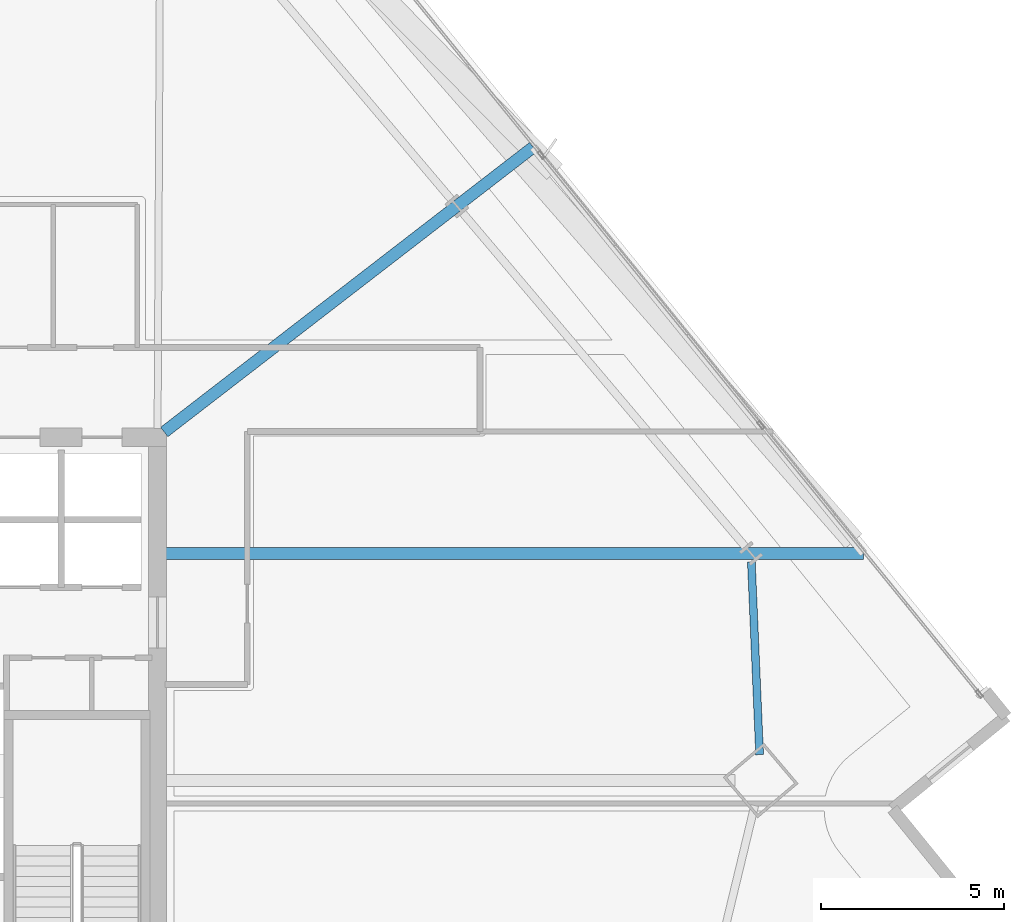
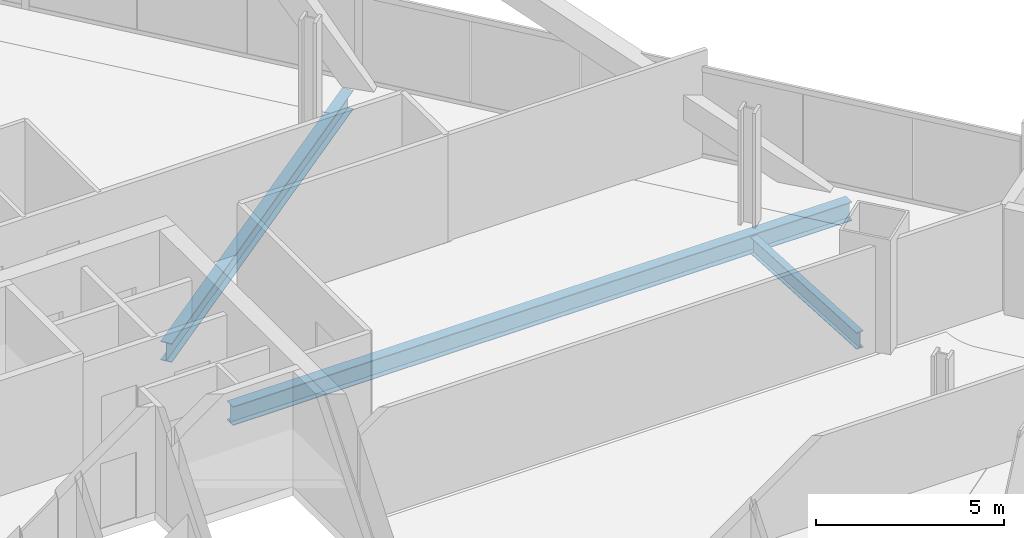
# One storey, part 19 of 36: 3 beams.
"""IFC4 building model written with IfcOpenShell, lengths in metres."""

import ifcopenshell
import ifcopenshell.guid

model = None  # the IFC model being written
_history = None  # IfcOwnerHistory: only IFC2X3 demands one
_inside = {}  # id of a spatial element -> (the spatial element, [elements in it])
_under = {}  # id of a project, library or spatial element -> (it, [spatial elements below it])
_declared = {}  # id of a project -> (the project, [libraries it declares])
_typed = {}  # id of a type object -> (the type object, [elements of that type])
_made_of = {}  # id of a material, layer set ... -> (it, [elements and type objects made of it])


def new_model(schema):
    """Start an empty IFC model of exactly this schema.

    Asked for "IFC4X3", IfcOpenShell would pick the latest addendum, in which some entities
    have other attributes; the version numbers below select the first issue.
    IFC2X3 requires an IfcOwnerHistory on every rooted entity: one is made here for all.
    """
    global model, _history
    if schema == "IFC4X3":
        model = ifcopenshell.file(schema_version=(4, 3, 0, 0))
    else:
        model = ifcopenshell.file(schema=schema)
    _inside.clear()
    _under.clear()
    _declared.clear()
    _typed.clear()
    _made_of.clear()
    _history = None
    if model.schema == "IFC2X3":
        org = make("IfcOrganization", Name="unknown")
        user = make(
            "IfcPersonAndOrganization",
            ThePerson=make("IfcPerson", FamilyName="unknown"),
            TheOrganization=org,
        )
        app = make(
            "IfcApplication",
            ApplicationDeveloper=org,
            Version="unknown",
            ApplicationFullName="unknown",
            ApplicationIdentifier="unknown",
        )
        _history = make(
            "IfcOwnerHistory",
            OwningUser=user,
            OwningApplication=app,
            ChangeAction="ADDED",
            CreationDate=0,
        )
    return model


def make(cls, **values):
    """One entity of the class cls with the attributes given. An attribute that is None is left unset."""
    return model.create_entity(
        cls, **{name: value for name, value in values.items() if value is not None}
    )


def rooted(cls, **values):
    """An entity with a GlobalId (a new one), such as an element, a storey or a relation."""
    return make(cls, GlobalId=ifcopenshell.guid.new(), OwnerHistory=_history, **values)


def si_unit(unit_type, name, prefix=None):
    """IfcSIUnit, for example si_unit("LENGTHUNIT", "METRE", prefix="MILLI")."""
    return make("IfcSIUnit", UnitType=unit_type, Prefix=prefix, Name=name)


def assignment(units):
    """IfcUnitAssignment: the units of a project."""
    return None if units is None else make("IfcUnitAssignment", Units=units)


def point(xyz):
    """IfcCartesianPoint."""
    return None if xyz is None else make("IfcCartesianPoint", Coordinates=xyz)


def direction(xyz):
    """IfcDirection."""
    return None if xyz is None else make("IfcDirection", DirectionRatios=xyz)


def frame(location, z_axis=None, x_axis=None):
    """IfcAxis2Placement3D, a coordinate frame: its origin and axes. An axis left out is left unset."""
    return make(
        "IfcAxis2Placement3D",
        Location=point(location),
        Axis=direction(z_axis),
        RefDirection=direction(x_axis),
    )


def frame_2d(location, x_axis=None):
    """IfcAxis2Placement2D, a coordinate frame in the plane: its origin and x axis."""
    return make(
        "IfcAxis2Placement2D", Location=point(location), RefDirection=direction(x_axis)
    )


def origin():
    """The frame at (0, 0, 0) with its axes left unset."""
    return frame((0.0, 0.0, 0.0))


def origin_2d():
    """The frame at (0, 0) in the plane with its x axis left unset."""
    return frame_2d((0.0, 0.0))


def place(relative_to, where):
    """IfcLocalPlacement: puts the frame where relative to a parent placement (None: the world)."""
    return make(
        "IfcLocalPlacement", PlacementRelTo=relative_to, RelativePlacement=where
    )


def context(
    kind, dimensions, precision=None, world=None, true_north=None, identifier=None
):
    """IfcGeometricRepresentationContext, for example the 3D "Model" context."""
    return make(
        "IfcGeometricRepresentationContext",
        ContextIdentifier=identifier,
        ContextType=kind,
        CoordinateSpaceDimension=dimensions,
        Precision=precision,
        WorldCoordinateSystem=world,
        TrueNorth=true_north,
    )


def subcontext(parent, identifier, kind, view, scale=None):
    """IfcGeometricRepresentationSubContext, for example "Body" below "Model"."""
    return make(
        "IfcGeometricRepresentationSubContext",
        ContextIdentifier=identifier,
        ContextType=kind,
        ParentContext=parent,
        TargetScale=scale,
        TargetView=view,
    )


def project(units=None, contexts=None):
    """IfcProject with its units and contexts."""
    return rooted(
        "IfcProject",
        Name="project",
        RepresentationContexts=contexts,
        UnitsInContext=assignment(units),
    )


def spatial(cls, under=None, at=None, **own):
    """A site, building, storey or space (cls), placed at a placement, below another one or the project."""
    s = rooted(cls, ObjectPlacement=at, **own)
    if under is not None:
        _under.setdefault(under.id(), (under, []))[1].append(s)
    return s


def profile(cls, at=None, kind="AREA", **sizes):
    """A parametric profile (cls). Its sizes go by their IFC names, for example OverallWidth=200.0."""
    return make(cls, ProfileType=kind, Position=at, **sizes)


def i_section(**sizes):
    """IfcIShapeProfileDef."""
    return profile("IfcIShapeProfileDef", **sizes)


def extrude(swept, where, along, depth):
    """IfcExtrudedAreaSolid: the profile swept, set in the frame where, extruded along a direction by depth."""
    return make(
        "IfcExtrudedAreaSolid",
        SweptArea=swept,
        Position=where,
        ExtrudedDirection=direction(along),
        Depth=depth,
    )


def shape(context_of_items, identifier, shape_type, items):
    """IfcShapeRepresentation: the items that make up one representation, for example the "Body"."""
    return make(
        "IfcShapeRepresentation",
        ContextOfItems=context_of_items,
        RepresentationIdentifier=identifier,
        RepresentationType=shape_type,
        Items=items,
    )


def material(Name=None, Category=None):
    """IfcMaterial."""
    return make("IfcMaterial", Name=Name, Category=Category)


def material_profile(
    of_material, cross_section, Name=None, Category=None, Priority=None
):
    """IfcMaterialProfile: a cross section and its material."""
    return make(
        "IfcMaterialProfile",
        Name=Name,
        Material=of_material,
        Profile=cross_section,
        Priority=Priority,
        Category=Category,
    )


def profile_set(profiles, Name=None, composite=None):
    """IfcMaterialProfileSet."""
    return make(
        "IfcMaterialProfileSet",
        Name=Name,
        MaterialProfiles=profiles,
        CompositeProfile=composite,
    )


def made_of(thing, what):
    """Note that an element or type object is made of a material, layer set ...; save() writes the relation."""
    if what is not None:
        _made_of.setdefault(what.id(), (what, []))[1].append(thing)
    return thing


def type_object(cls, material=None, **own):
    """A type object (cls), such as IfcWallType, which elements share."""
    return made_of(rooted(cls, **own), material)


def element(
    cls,
    number,
    at=None,
    inside=None,
    cuts=None,
    type_object=None,
    material=None,
    context=None,
    identifier="Body",
    shape_type=None,
    held_by="IfcProductDefinitionShape",
    body=None,
    shapes=None,
    **own,
):
    """One element of the class cls, such as IfcWall. Its Tag is "e" and its number.

    at: its placement. inside: the storey or other place that contains it. cuts: it is an
    opening in that element (IfcRelVoidsElement). A single representation is given by context,
    identifier, shape_type and body (its items); several are given by shapes. held_by: the class
    of the entity that holds the representations. save() writes the other relations.
    """
    e = rooted(cls, Tag="e%d" % number, ObjectPlacement=at, **own)
    if body is not None:
        shapes = [shape(context, identifier, shape_type, body)]
    if shapes is not None:
        e.Representation = make(held_by, Representations=shapes)
    if inside is not None:
        _inside.setdefault(inside.id(), (inside, []))[1].append(e)
    if cuts is not None:
        rooted(
            "IfcRelVoidsElement", RelatingBuildingElement=cuts, RelatedOpeningElement=e
        )
    if type_object is not None:
        _typed.setdefault(type_object.id(), (type_object, []))[1].append(e)
    return made_of(e, material)


def aggregate(whole, parts):
    """IfcRelAggregates: a whole, such as a stair, and the parts it consists of."""
    return rooted("IfcRelAggregates", RelatingObject=whole, RelatedObjects=parts)


def save(model, path):
    """Write the relations noted so far, then the file.

    IfcRelAggregates (storeys below a building ...), IfcRelContainedInSpatialStructure (elements
    in a storey), IfcRelDefinesByType, IfcRelAssociatesMaterial and IfcRelDeclares: one each for
    every whole, place, type object, material and project.
    """
    for whole, parts in _under.values():
        aggregate(whole, parts)
    for where, things in _inside.values():
        rooted(
            "IfcRelContainedInSpatialStructure",
            RelatedElements=things,
            RelatingStructure=where,
        )
    for kind, things in _typed.values():
        rooted("IfcRelDefinesByType", RelatedObjects=things, RelatingType=kind)
    for what, things in _made_of.values():
        rooted("IfcRelAssociatesMaterial", RelatedObjects=things, RelatingMaterial=what)
    for by, libraries in _declared.values():
        rooted("IfcRelDeclares", RelatingContext=by, RelatedDefinitions=libraries)
    model.write(path)


model = new_model("IFC4")

# Units and contexts
model_context = context("Model", 3, precision=1e-05, world=origin(), true_north=direction((0.0, 1.0)))
body_context = subcontext(model_context, "Body", "Model", "MODEL_VIEW")
ifc_project = project(units=[si_unit("LENGTHUNIT", "METRE"), si_unit("AREAUNIT", "SQUARE_METRE"), si_unit("VOLUMEUNIT", "CUBIC_METRE"), si_unit("PLANEANGLEUNIT", "RADIAN"), si_unit("MASSUNIT", "GRAM", prefix="KILO")], contexts=[model_context])

# Site, building, storey
site_placement = place(None, origin())
site = spatial("IfcSite", under=ifc_project, at=site_placement, CompositionType="ELEMENT")
building_placement = place(site_placement, origin())
building = spatial("IfcBuilding", under=site, at=building_placement, Name="Haldenkirk Collegiate Tower", CompositionType="ELEMENT")
storey_placement = place(building_placement, frame((0.0, 0.0, 159.449951171875)))
storey = spatial("IfcBuildingStorey", under=building, at=storey_placement, Name="L39", CompositionType="ELEMENT", Elevation=159.449951171875)

# Beams
ifc_material = material(Name="Steel ASTM A992 Grade 50", Category="steel")
ifc_material_profile_1 = material_profile(ifc_material, i_section(OverallWidth=0.324951171875, OverallDepth=0.615966796875, WebThickness=0.013916015625, FlangeThickness=0.021484375, at=origin_2d()), Name="W24X117")
ifc_profile_set_1 = profile_set([ifc_material_profile_1], Name="Steel ASTM A992 Grade 50")
beam_type_1 = type_object("IfcBeamType", Name="BM-GIRDER-W24X117", PredefinedType="BEAM", material=ifc_profile_set_1)
beam_1_placement = place(storey_placement, frame((64.268310546875, 30.82421875, -0.597900390625), z_axis=(-1.0, 0.0, 0.0), x_axis=(0.0, -1.0, 0.0)))
element("IfcBeam", 1, at=beam_1_placement, inside=storey, type_object=beam_type_1, Name="L39 primary floor girder 08", PredefinedType="BEAM", context=body_context, shape_type="SweptSolid", body=[
    extrude(i_section(OverallWidth=0.324951171875, OverallDepth=0.615966796875, WebThickness=0.013916015625, FlangeThickness=0.021484375, at=origin_2d()), origin(), (0.0, 0.0, 1.0), 19.038330078125),
])
beam_2_placement = place(storey_placement, frame((55.254638671875, 41.915283203125, -0.597900390625), z_axis=(-0.791604323501, -0.611034037526, 0.0), x_axis=(0.611034037526, -0.791604323501, 0.0)))
element("IfcBeam", 2, at=beam_2_placement, inside=storey, type_object=beam_type_1, Name="L39 primary floor girder 09", PredefinedType="BEAM", context=body_context, shape_type="SweptSolid", body=[
    extrude(i_section(OverallWidth=0.324951171875, OverallDepth=0.615966796875, WebThickness=0.013916015625, FlangeThickness=0.021484375, at=origin_2d()), origin(), (0.0, 0.0, 1.0), 12.72412109375),
])
ifc_material_profile_2 = material_profile(ifc_material, i_section(OverallWidth=0.2119140625, OverallDepth=0.5439453125, WebThickness=0.01318359375, FlangeThickness=0.021240234375, at=origin_2d()), Name="W21X83")
ifc_profile_set_2 = profile_set([ifc_material_profile_2], Name="Steel ASTM A992 Grade 50")
beam_type_2 = type_object("IfcBeamType", Name="BM-SPANDREL-W21X83", PredefinedType="SPANDREL", material=ifc_profile_set_2)
beam_3_placement = place(storey_placement, frame((61.434814453125, 25.33349609375, -0.56201171875), z_axis=(-0.042833703015, 0.999082215779, 0.0), x_axis=(-0.999082215779, -0.042833703015, 0.0)))
element("IfcBeam", 3, at=beam_3_placement, inside=storey, type_object=beam_type_2, Name="L39 perimeter spandrel beam 05", PredefinedType="SPANDREL", context=body_context, shape_type="SweptSolid", body=[
    extrude(i_section(OverallWidth=0.2119140625, OverallDepth=0.5439453125, WebThickness=0.01318359375, FlangeThickness=0.021240234375, at=origin_2d()), origin(), (0.0, 0.0, 1.0), 5.2666015625),
])

save(model, "model.ifc")
